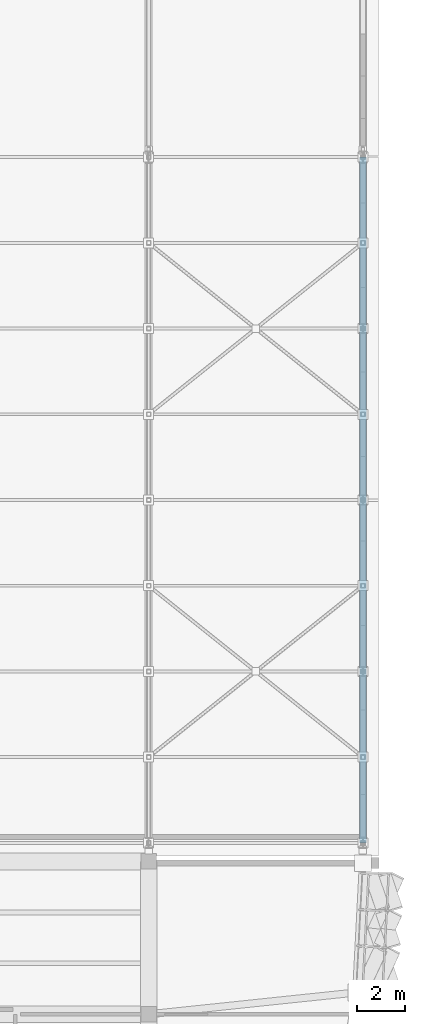
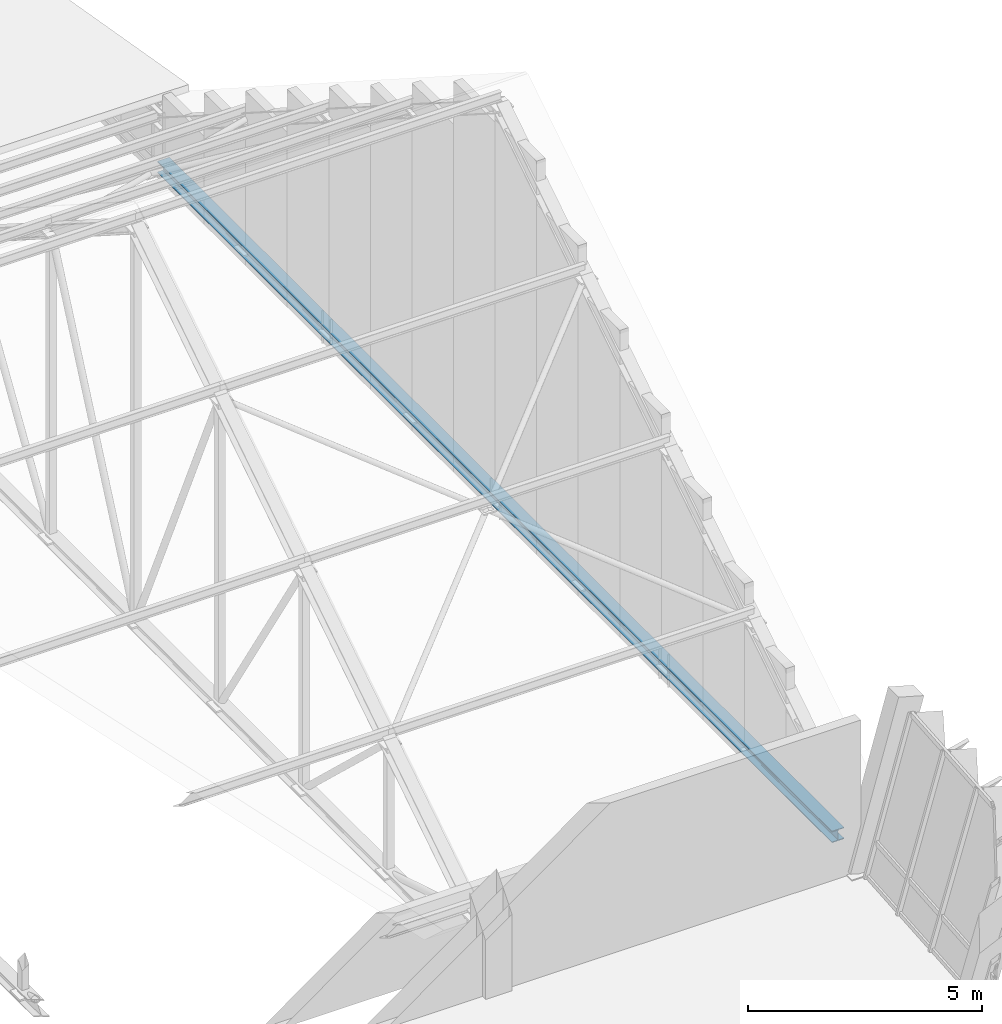
# One storey, part 118 of 182: 1 member.
"""IFC4 building model written with IfcOpenShell, lengths in metres."""

from ifc_helpers import new_model, si_unit, direction, frame, origin, origin_2d, place, context, subcontext, project, spatial, i_section, extrude, material, material_profile, profile_set, type_object, element, save


model = new_model("IFC4")

# Units and contexts
model_context = context("Model", 3, precision=1e-05, world=origin(), true_north=direction((0.0, 1.0)))
body_context = subcontext(model_context, "Body", "Model", "MODEL_VIEW")
ifc_project = project(units=[si_unit("LENGTHUNIT", "METRE"), si_unit("AREAUNIT", "SQUARE_METRE"), si_unit("VOLUMEUNIT", "CUBIC_METRE"), si_unit("PLANEANGLEUNIT", "RADIAN"), si_unit("MASSUNIT", "GRAM", prefix="KILO")], contexts=[model_context])

# Site, building, storey
site_placement = place(None, origin())
site = spatial("IfcSite", under=ifc_project, at=site_placement, CompositionType="ELEMENT")
building_placement = place(site_placement, origin())
building = spatial("IfcBuilding", under=site, at=building_placement, Name="Chiffa Square Polytechnic", CompositionType="ELEMENT")
storey_placement = place(building_placement, frame((0.0, 0.0, 9.60009765625)))
storey = spatial("IfcBuildingStorey", under=building, at=storey_placement, Name="L02", CompositionType="ELEMENT", Elevation=9.60009765625)

# Member
ifc_material = material(Name="Steel S355", Category="steel")
ifc_material_profile = material_profile(ifc_material, i_section(OverallWidth=0.300048828125, OverallDepth=0.300048828125, WebThickness=0.010986328125, FlangeThickness=0.01904296875, FilletRadius=0.027099609375, at=origin_2d()), Name="HEB 300")
ifc_profile_set = profile_set([ifc_material_profile], Name="Steel S355")
member_type = type_object("IfcMemberType", Name="MEM-CHORD-HEB300", PredefinedType="CHORD", material=ifc_profile_set)
member_placement = place(storey_placement, frame((175.199951171875, 58.199951171875, 0.349853515625), z_axis=(0.0, 1.0, 0.0), x_axis=(-1.0, 0.0, 0.0)))
element("IfcMember", 1, at=member_placement, inside=storey, type_object=member_type, Name="Workshop roof truss bottom chord TCB-V2-08", PredefinedType="CHORD", context=body_context, shape_type="SweptSolid", body=[
    extrude(i_section(OverallWidth=0.300048828125, OverallDepth=0.300048828125, WebThickness=0.010986328125, FlangeThickness=0.01904296875, FilletRadius=0.027099609375, at=origin_2d()), origin(), (0.0, 0.0, 1.0), 28.800048828125),
])

save(model, "model.ifc")
